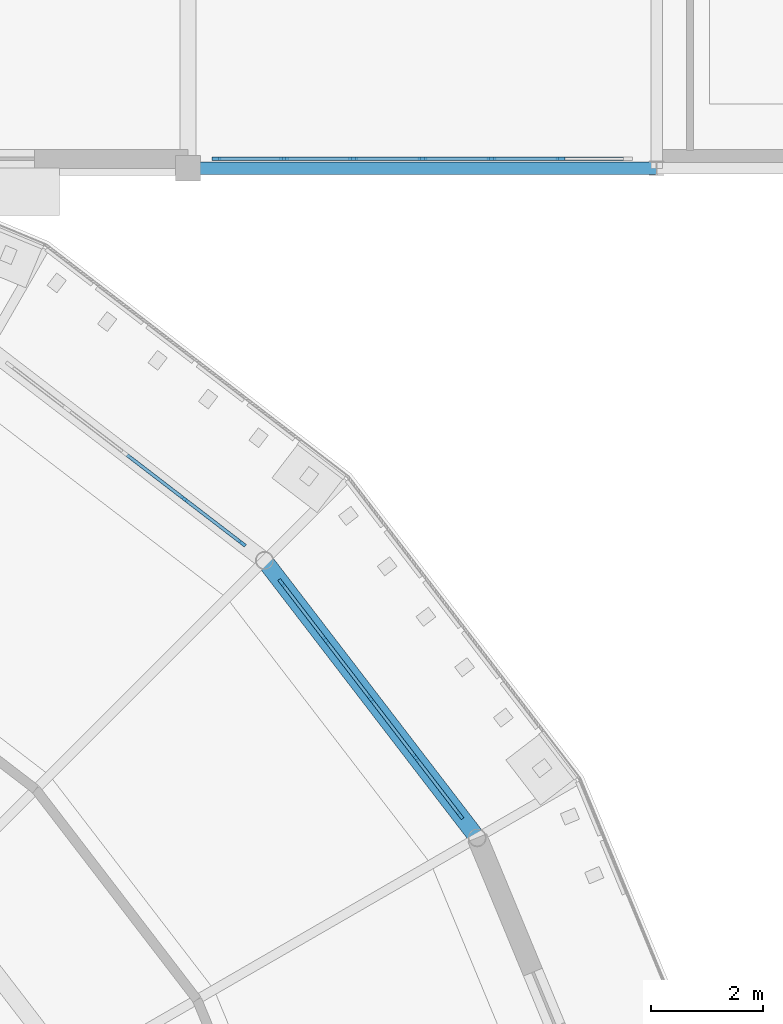
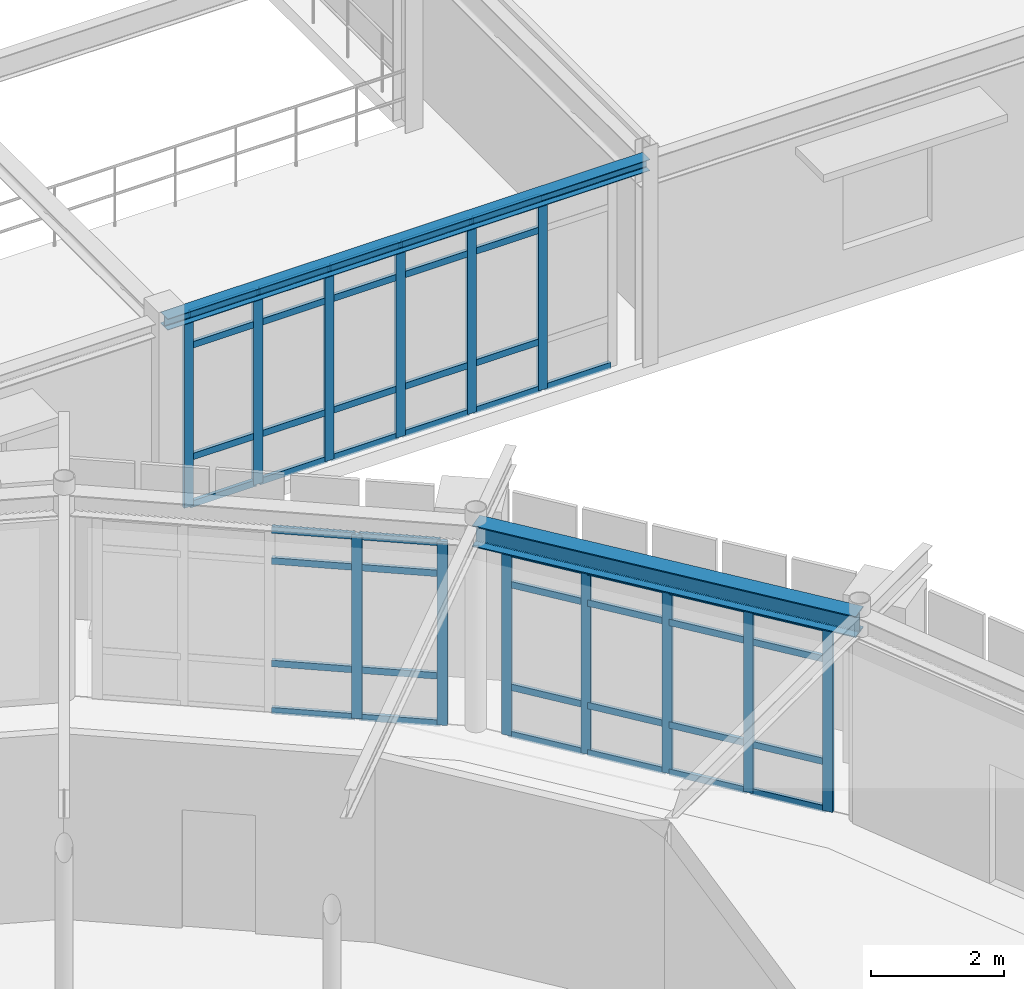
# One storey, part 37 of 70: 58 members, 2 beams, 3 elements without a shape of their own.
"""IFC4 building model written with IfcOpenShell, lengths in metres."""

from ifc_helpers import new_model, si_unit, derived_unit, direction, frame, origin, origin_2d, place, context, subcontext, project, spatial, rectangle, i_section, extrude, material, layer, layer_set, material_profile, profile_set, type_object, element, aggregate, save


model = new_model("IFC4")

# Units and contexts
model_context = context("Model", 3, precision=1e-05, world=origin(), true_north=direction((0.0, 1.0)))
body_context = subcontext(model_context, "Body", "Model", "MODEL_VIEW")
ifc_project = project(units=[si_unit("LENGTHUNIT", "METRE"), si_unit("AREAUNIT", "SQUARE_METRE"), si_unit("VOLUMEUNIT", "CUBIC_METRE"), si_unit("PLANEANGLEUNIT", "RADIAN"), si_unit("MASSUNIT", "GRAM", prefix="KILO"), derived_unit("THERMALTRANSMITTANCEUNIT", [(si_unit("POWERUNIT", "WATT"), 1), (si_unit("AREAUNIT", "SQUARE_METRE"), -1), (si_unit("THERMODYNAMICTEMPERATUREUNIT", "KELVIN"), -1)])], contexts=[model_context])

# Site, building, storey
site_placement = place(None, origin())
site = spatial("IfcSite", under=ifc_project, at=site_placement, CompositionType="ELEMENT")
building_placement = place(site_placement, origin())
building = spatial("IfcBuilding", under=site, at=building_placement, Name="Yasenodar Specialist Clinic", CompositionType="ELEMENT")
storey_placement = place(building_placement, frame((0.0, 0.0, 13.199951171875)))
storey = spatial("IfcBuildingStorey", under=building, at=storey_placement, Name="L03", CompositionType="ELEMENT", Elevation=13.199951171875)

# Beams
ifc_material_1 = material(Name="Steel S355", Category="steel")
ifc_material_profile_1 = material_profile(ifc_material_1, i_section(OverallWidth=0.219970703125, OverallDepth=0.2099609375, WebThickness=0.007080078125, FlangeThickness=0.010986328125, FilletRadius=0.01806640625, at=origin_2d()), Name="HEA 220")
ifc_profile_set_1 = profile_set([ifc_material_profile_1], Name="Steel S355")
beam_type_1 = type_object("IfcBeamType", Name="BM-HEA220", PredefinedType="BEAM", material=ifc_profile_set_1)
beam_1_placement = place(storey_placement, frame((96.60009765625, 82.800048828125, 3.68505859375), z_axis=(1.0, 0.0, 0.0), x_axis=(0.0, 1.0, 0.0)))
element("IfcBeam", 1, at=beam_1_placement, inside=storey, type_object=beam_type_1, Name="L03 Primary E-W Girder", PredefinedType="BEAM", context=body_context, shape_type="SweptSolid", body=[
    extrude(i_section(OverallWidth=0.219970703125, OverallDepth=0.2099609375, WebThickness=0.007080078125, FlangeThickness=0.010986328125, FilletRadius=0.01806640625, at=origin_2d()), origin(), (0.0, 0.0, 1.0), 8.39990234375),
])
ifc_material_profile_2 = material_profile(ifc_material_1, i_section(OverallWidth=0.300048828125, OverallDepth=0.389892578125, WebThickness=0.010986328125, FlangeThickness=0.01904296875, FilletRadius=0.027099609375, at=origin_2d()), Name="HEA 400")
ifc_profile_set_2 = profile_set([ifc_material_profile_2], Name="Steel S355")
beam_type_2 = type_object("IfcBeamType", Name="BM-HEA400", PredefinedType="BEAM", material=ifc_profile_set_2)
beam_2_placement = place(storey_placement, frame((101.78466796875, 70.800048828125, 3.60498046875), z_axis=(-0.608761180103, 0.793353531283, 0.0), x_axis=(-0.793353531283, -0.608761180103, 0.0)))
element("IfcBeam", 2, at=beam_2_placement, inside=storey, type_object=beam_type_2, Name="L03 Drum V1 Perimeter Ring Beam", PredefinedType="BEAM", context=body_context, shape_type="SweptSolid", body=[
    extrude(i_section(OverallWidth=0.300048828125, OverallDepth=0.389892578125, WebThickness=0.010986328125, FlangeThickness=0.01904296875, FilletRadius=0.027099609375, at=origin_2d()), origin(), (0.0, 0.0, 1.0), 6.26513671875),
])

# Curtain wall, members
ifc_material_2 = material(Name="Bronze Anodized Aluminium and Triple Low-E Glass", Category="aluminium")
ifc_layer_1 = layer(ifc_material_2, 0.1669921875)
ifc_layer_set_1 = layer_set([ifc_layer_1], Name="Bronze Anodized Aluminium and Triple Low-E Glass")
curtain_wall_type_1 = type_object("IfcCurtainWallType", Name="CW-SYS-01", PredefinedType="USERDEFINED", material=ifc_layer_set_1)
curtain_wall_1_placement = place(storey_placement, origin())
curtain_wall_1 = element("IfcCurtainWall", 3, at=curtain_wall_1_placement, inside=storey, type_object=curtain_wall_type_1, Name="L03 Unitised Curtain Wall 041", ObjectType="UNITISED CURTAIN WALL", PredefinedType="USERDEFINED")
ifc_material_3 = material(Name="Bronze Anodized Aluminium", Category="aluminium")
ifc_material_profile_3 = material_profile(ifc_material_3, rectangle(XDim=0.06005859375, YDim=0.159912109375, at=origin_2d()), Name="CW-MULL 60x160")
ifc_profile_set_3 = profile_set([ifc_material_profile_3], Name="Bronze Anodized Aluminium")
member_type_1 = type_object("IfcMemberType", Name="CW-MULL-160", PredefinedType="MULLION", material=ifc_profile_set_3)
member_1_placement = place(storey_placement, frame((98.281005859375, 75.365966796875, 0.0), z_axis=(0.0, 0.0, 1.0), x_axis=(0.793360558574, 0.608752021844, 0.0)))
member_1 = element("IfcMember", 4, at=member_1_placement, type_object=member_type_1, Name="CW-01 mullion 1", PredefinedType="MULLION", context=body_context, shape_type="SweptSolid", body=[
    extrude(rectangle(XDim=0.06005859375, YDim=0.159912109375, at=origin_2d()), origin(), (0.0, 0.0, 1.0), 3.387939453125),
])
member_2_placement = place(storey_placement, frame((99.0703125, 74.337646484375, 0.0), z_axis=(0.0, 0.0, 1.0), x_axis=(0.793360558574, 0.608752021844, 0.0)))
member_2 = element("IfcMember", 5, at=member_2_placement, type_object=member_type_1, Name="CW-01 mullion 2", PredefinedType="MULLION", context=body_context, shape_type="SweptSolid", body=[
    extrude(rectangle(XDim=0.06005859375, YDim=0.159912109375, at=origin_2d()), origin(), (0.0, 0.0, 1.0), 3.387939453125),
])
member_3_placement = place(storey_placement, frame((99.877685546875, 73.285400390625, 0.0), z_axis=(0.0, 0.0, 1.0), x_axis=(0.793360558574, 0.608752021844, 0.0)))
member_3 = element("IfcMember", 6, at=member_3_placement, type_object=member_type_1, Name="CW-01 mullion 3", PredefinedType="MULLION", context=body_context, shape_type="SweptSolid", body=[
    extrude(rectangle(XDim=0.06005859375, YDim=0.159912109375, at=origin_2d()), origin(), (0.0, 0.0, 1.0), 3.387939453125),
])
member_4_placement = place(storey_placement, frame((100.68505859375, 72.233154296875, 0.0), z_axis=(0.0, 0.0, 1.0), x_axis=(0.793360558574, 0.608752021844, 0.0)))
member_4 = element("IfcMember", 7, at=member_4_placement, type_object=member_type_1, Name="CW-01 mullion 4", PredefinedType="MULLION", context=body_context, shape_type="SweptSolid", body=[
    extrude(rectangle(XDim=0.06005859375, YDim=0.159912109375, at=origin_2d()), origin(), (0.0, 0.0, 1.0), 3.387939453125),
])
member_5_placement = place(storey_placement, frame((101.47412109375, 71.20458984375, 0.0), z_axis=(0.0, 0.0, 1.0), x_axis=(0.793360558574, 0.608752021844, 0.0)))
member_5 = element("IfcMember", 8, at=member_5_placement, type_object=member_type_1, Name="CW-01 mullion 5", PredefinedType="MULLION", context=body_context, shape_type="SweptSolid", body=[
    extrude(rectangle(XDim=0.06005859375, YDim=0.159912109375, at=origin_2d()), origin(), (0.0, 0.0, 1.0), 3.387939453125),
])

curtain_wall_2_placement = place(storey_placement, origin())
curtain_wall_2 = element("IfcCurtainWall", 9, at=curtain_wall_2_placement, inside=storey, type_object=curtain_wall_type_1, Name="L03 Unitised Curtain Wall 042", ObjectType="UNITISED CURTAIN WALL", PredefinedType="USERDEFINED")
member_6_placement = place(storey_placement, frame((96.53759765625, 76.8701171875, 0.0), z_axis=(0.0, 0.0, 1.0), x_axis=(0.608752021844, 0.793360558574, 0.0)))
member_6 = element("IfcMember", 10, at=member_6_placement, type_object=member_type_1, Name="CW-01 mullion 4", PredefinedType="MULLION", context=body_context, shape_type="SweptSolid", body=[
    extrude(rectangle(XDim=0.06005859375, YDim=0.159912109375, at=origin_2d()), origin(), (0.0, 0.0, 1.0), 3.387939453125),
])
member_7_placement = place(storey_placement, frame((97.56591796875, 76.0810546875, 0.0), z_axis=(0.0, 0.0, 1.0), x_axis=(0.608752021844, 0.793360558574, 0.0)))
member_7 = element("IfcMember", 11, at=member_7_placement, type_object=member_type_1, Name="CW-01 mullion 5", PredefinedType="MULLION", context=body_context, shape_type="SweptSolid", body=[
    extrude(rectangle(XDim=0.06005859375, YDim=0.159912109375, at=origin_2d()), origin(), (0.0, 0.0, 1.0), 3.387939453125),
])

ifc_layer_2 = layer(ifc_material_2, 0.215087890625)
ifc_layer_set_2 = layer_set([ifc_layer_2], Name="Bronze Anodized Aluminium and Triple Low-E Glass")
curtain_wall_type_2 = type_object("IfcCurtainWallType", Name="CW-SYS-05", PredefinedType="USERDEFINED", material=ifc_layer_set_2)
curtain_wall_3_placement = place(storey_placement, origin())
curtain_wall_3 = element("IfcCurtainWall", 12, at=curtain_wall_3_placement, inside=storey, type_object=curtain_wall_type_2, Name="L03 Unitised Curtain Wall 159", ObjectType="UNITISED CURTAIN WALL", PredefinedType="USERDEFINED")
member_8_placement = place(storey_placement, frame((103.280029296875, 82.969970703125, 0.0), z_axis=(0.0, 0.0, 1.0), x_axis=(0.0, -1.0, 0.0)))
member_8 = element("IfcMember", 13, at=member_8_placement, type_object=member_type_1, Name="CW-05 mullion 2", PredefinedType="MULLION", context=body_context, shape_type="SweptSolid", body=[
    extrude(rectangle(XDim=0.06005859375, YDim=0.159912109375, at=origin_2d()), origin(), (0.0, 0.0, 1.0), 3.55810546875),
])
member_9_placement = place(storey_placement, frame((102.0400390625, 82.969970703125, 0.0), z_axis=(0.0, 0.0, 1.0), x_axis=(0.0, -1.0, 0.0)))
member_9 = element("IfcMember", 14, at=member_9_placement, type_object=member_type_1, Name="CW-05 mullion 3", PredefinedType="MULLION", context=body_context, shape_type="SweptSolid", body=[
    extrude(rectangle(XDim=0.06005859375, YDim=0.159912109375, at=origin_2d()), origin(), (0.0, 0.0, 1.0), 3.55810546875),
])
member_10_placement = place(storey_placement, frame((100.800048828125, 82.969970703125, 0.0), z_axis=(0.0, 0.0, 1.0), x_axis=(0.0, -1.0, 0.0)))
member_10 = element("IfcMember", 15, at=member_10_placement, type_object=member_type_1, Name="CW-05 mullion 4", PredefinedType="MULLION", context=body_context, shape_type="SweptSolid", body=[
    extrude(rectangle(XDim=0.06005859375, YDim=0.159912109375, at=origin_2d()), origin(), (0.0, 0.0, 1.0), 3.55810546875),
])
member_11_placement = place(storey_placement, frame((99.56005859375, 82.969970703125, 0.0), z_axis=(0.0, 0.0, 1.0), x_axis=(0.0, -1.0, 0.0)))
member_11 = element("IfcMember", 16, at=member_11_placement, type_object=member_type_1, Name="CW-05 mullion 5", PredefinedType="MULLION", context=body_context, shape_type="SweptSolid", body=[
    extrude(rectangle(XDim=0.06005859375, YDim=0.159912109375, at=origin_2d()), origin(), (0.0, 0.0, 1.0), 3.55810546875),
])
member_12_placement = place(storey_placement, frame((98.320068359375, 82.969970703125, 0.0), z_axis=(0.0, 0.0, 1.0), x_axis=(0.0, -1.0, 0.0)))
member_12 = element("IfcMember", 17, at=member_12_placement, type_object=member_type_1, Name="CW-05 mullion 6", PredefinedType="MULLION", context=body_context, shape_type="SweptSolid", body=[
    extrude(rectangle(XDim=0.06005859375, YDim=0.159912109375, at=origin_2d()), origin(), (0.0, 0.0, 1.0), 3.55810546875),
])
member_13_placement = place(storey_placement, frame((97.110107421875, 82.969970703125, 0.0), z_axis=(0.0, 0.0, 1.0), x_axis=(0.0, -1.0, 0.0)))
member_13 = element("IfcMember", 18, at=member_13_placement, type_object=member_type_1, Name="CW-05 mullion 7", PredefinedType="MULLION", context=body_context, shape_type="SweptSolid", body=[
    extrude(rectangle(XDim=0.06005859375, YDim=0.159912109375, at=origin_2d()), origin(), (0.0, 0.0, 1.0), 3.55810546875),
])

# Member
ifc_material_profile_4 = material_profile(ifc_material_3, rectangle(XDim=0.06005859375, YDim=0.1201171875, at=origin_2d()), Name="CW-TRAN 60x120")
ifc_profile_set_4 = profile_set([ifc_material_profile_4], Name="Bronze Anodized Aluminium")
member_type_2 = type_object("IfcMemberType", Name="CW-TRAN-120", PredefinedType="USERDEFINED", material=ifc_profile_set_4)
member_14_placement = place(storey_placement, frame((98.29931640625, 75.34228515625, 0.030029296875), z_axis=(0.608746535642, -0.793364768151, 0.0), x_axis=(0.793364768151, 0.608746535642, 0.0)))
member_14 = element("IfcMember", 19, at=member_14_placement, type_object=member_type_2, Name="CW-01 transom 1.1", ObjectType="TRANSOM", PredefinedType="USERDEFINED", context=body_context, shape_type="SweptSolid", body=[
    extrude(rectangle(XDim=0.06005859375, YDim=0.1201171875, at=origin_2d()), origin(), (0.0, 0.0, 1.0), 1.236572265625),
])

member_15_placement = place(storey_placement, frame((98.29931640625, 75.34228515625, 0.900146484375), z_axis=(0.608746535642, -0.793364768151, 0.0), x_axis=(0.793364768151, 0.608746535642, 0.0)))
member_15 = element("IfcMember", 20, at=member_15_placement, type_object=member_type_2, Name="CW-01 transom 1.2", ObjectType="TRANSOM", PredefinedType="USERDEFINED", context=body_context, shape_type="SweptSolid", body=[
    extrude(rectangle(XDim=0.06005859375, YDim=0.1201171875, at=origin_2d()), origin(), (0.0, 0.0, 1.0), 1.236572265625),
])

member_16_placement = place(storey_placement, frame((98.29931640625, 75.34228515625, 2.7880859375), z_axis=(0.608746535642, -0.793364768151, 0.0), x_axis=(0.793364768151, 0.608746535642, 0.0)))
member_16 = element("IfcMember", 21, at=member_16_placement, type_object=member_type_2, Name="CW-01 transom 1.3", ObjectType="TRANSOM", PredefinedType="USERDEFINED", context=body_context, shape_type="SweptSolid", body=[
    extrude(rectangle(XDim=0.06005859375, YDim=0.1201171875, at=origin_2d()), origin(), (0.0, 0.0, 1.0), 1.236572265625),
])

member_17_placement = place(storey_placement, frame((98.29931640625, 75.34228515625, 3.358154296875), z_axis=(0.608746535642, -0.793364768151, 0.0), x_axis=(0.793364768151, 0.608746535642, 0.0)))
member_17 = element("IfcMember", 22, at=member_17_placement, type_object=member_type_2, Name="CW-01 transom 1.4", ObjectType="TRANSOM", PredefinedType="USERDEFINED", context=body_context, shape_type="SweptSolid", body=[
    extrude(rectangle(XDim=0.06005859375, YDim=0.1201171875, at=origin_2d()), origin(), (0.0, 0.0, 1.0), 1.236572265625),
])

member_18_placement = place(storey_placement, frame((99.08837890625, 74.313720703125, 0.030029296875), z_axis=(0.608815963567, -0.793311491475, 0.0), x_axis=(0.793311491475, 0.608815963567, 0.0)))
member_18 = element("IfcMember", 23, at=member_18_placement, type_object=member_type_2, Name="CW-01 transom 2.1", ObjectType="TRANSOM", PredefinedType="USERDEFINED", context=body_context, shape_type="SweptSolid", body=[
    extrude(rectangle(XDim=0.06005859375, YDim=0.1201171875, at=origin_2d()), origin(), (0.0, 0.0, 1.0), 1.266357421875),
])

member_19_placement = place(storey_placement, frame((99.08837890625, 74.313720703125, 0.900146484375), z_axis=(0.608815963567, -0.793311491475, 0.0), x_axis=(0.793311491475, 0.608815963567, 0.0)))
member_19 = element("IfcMember", 24, at=member_19_placement, type_object=member_type_2, Name="CW-01 transom 2.2", ObjectType="TRANSOM", PredefinedType="USERDEFINED", context=body_context, shape_type="SweptSolid", body=[
    extrude(rectangle(XDim=0.06005859375, YDim=0.1201171875, at=origin_2d()), origin(), (0.0, 0.0, 1.0), 1.266357421875),
])

member_20_placement = place(storey_placement, frame((99.08837890625, 74.313720703125, 2.7880859375), z_axis=(0.608815963567, -0.793311491475, 0.0), x_axis=(0.793311491475, 0.608815963567, 0.0)))
member_20 = element("IfcMember", 25, at=member_20_placement, type_object=member_type_2, Name="CW-01 transom 2.3", ObjectType="TRANSOM", PredefinedType="USERDEFINED", context=body_context, shape_type="SweptSolid", body=[
    extrude(rectangle(XDim=0.06005859375, YDim=0.1201171875, at=origin_2d()), origin(), (0.0, 0.0, 1.0), 1.266357421875),
])

member_21_placement = place(storey_placement, frame((99.08837890625, 74.313720703125, 3.358154296875), z_axis=(0.608815963567, -0.793311491475, 0.0), x_axis=(0.793311491475, 0.608815963567, 0.0)))
member_21 = element("IfcMember", 26, at=member_21_placement, type_object=member_type_2, Name="CW-01 transom 2.4", ObjectType="TRANSOM", PredefinedType="USERDEFINED", context=body_context, shape_type="SweptSolid", body=[
    extrude(rectangle(XDim=0.06005859375, YDim=0.1201171875, at=origin_2d()), origin(), (0.0, 0.0, 1.0), 1.266357421875),
])

member_22_placement = place(storey_placement, frame((99.895751953125, 73.261474609375, 0.030029296875), z_axis=(0.608815963567, -0.793311491475, 0.0), x_axis=(0.793311491475, 0.608815963567, 0.0)))
member_22 = element("IfcMember", 27, at=member_22_placement, type_object=member_type_2, Name="CW-01 transom 3.1", ObjectType="TRANSOM", PredefinedType="USERDEFINED", context=body_context, shape_type="SweptSolid", body=[
    extrude(rectangle(XDim=0.06005859375, YDim=0.1201171875, at=origin_2d()), origin(), (0.0, 0.0, 1.0), 1.266357421875),
])

member_23_placement = place(storey_placement, frame((99.895751953125, 73.261474609375, 0.900146484375), z_axis=(0.608815963567, -0.793311491475, 0.0), x_axis=(0.793311491475, 0.608815963567, 0.0)))
member_23 = element("IfcMember", 28, at=member_23_placement, type_object=member_type_2, Name="CW-01 transom 3.2", ObjectType="TRANSOM", PredefinedType="USERDEFINED", context=body_context, shape_type="SweptSolid", body=[
    extrude(rectangle(XDim=0.06005859375, YDim=0.1201171875, at=origin_2d()), origin(), (0.0, 0.0, 1.0), 1.266357421875),
])

member_24_placement = place(storey_placement, frame((99.895751953125, 73.261474609375, 2.7880859375), z_axis=(0.608815963567, -0.793311491475, 0.0), x_axis=(0.793311491475, 0.608815963567, 0.0)))
member_24 = element("IfcMember", 29, at=member_24_placement, type_object=member_type_2, Name="CW-01 transom 3.3", ObjectType="TRANSOM", PredefinedType="USERDEFINED", context=body_context, shape_type="SweptSolid", body=[
    extrude(rectangle(XDim=0.06005859375, YDim=0.1201171875, at=origin_2d()), origin(), (0.0, 0.0, 1.0), 1.266357421875),
])

member_25_placement = place(storey_placement, frame((99.895751953125, 73.261474609375, 3.358154296875), z_axis=(0.608815963567, -0.793311491475, 0.0), x_axis=(0.793311491475, 0.608815963567, 0.0)))
member_25 = element("IfcMember", 30, at=member_25_placement, type_object=member_type_2, Name="CW-01 transom 3.4", ObjectType="TRANSOM", PredefinedType="USERDEFINED", context=body_context, shape_type="SweptSolid", body=[
    extrude(rectangle(XDim=0.06005859375, YDim=0.1201171875, at=origin_2d()), origin(), (0.0, 0.0, 1.0), 1.266357421875),
])

member_26_placement = place(storey_placement, frame((100.703369140625, 72.209228515625, 0.030029296875), z_axis=(0.608717606417, -0.793386964626, 0.0), x_axis=(0.793386964626, 0.608717606417, 0.0)))
member_26 = element("IfcMember", 31, at=member_26_placement, type_object=member_type_2, Name="CW-01 transom 4.1", ObjectType="TRANSOM", PredefinedType="USERDEFINED", context=body_context, shape_type="SweptSolid", body=[
    extrude(rectangle(XDim=0.06005859375, YDim=0.1201171875, at=origin_2d()), origin(), (0.0, 0.0, 1.0), 1.236083984375),
])

member_27_placement = place(storey_placement, frame((100.703369140625, 72.209228515625, 0.900146484375), z_axis=(0.608717606417, -0.793386964626, 0.0), x_axis=(0.793386964626, 0.608717606417, 0.0)))
member_27 = element("IfcMember", 32, at=member_27_placement, type_object=member_type_2, Name="CW-01 transom 4.2", ObjectType="TRANSOM", PredefinedType="USERDEFINED", context=body_context, shape_type="SweptSolid", body=[
    extrude(rectangle(XDim=0.06005859375, YDim=0.1201171875, at=origin_2d()), origin(), (0.0, 0.0, 1.0), 1.236083984375),
])

member_28_placement = place(storey_placement, frame((100.703369140625, 72.209228515625, 2.7880859375), z_axis=(0.608717606417, -0.793386964626, 0.0), x_axis=(0.793386964626, 0.608717606417, 0.0)))
member_28 = element("IfcMember", 33, at=member_28_placement, type_object=member_type_2, Name="CW-01 transom 4.3", ObjectType="TRANSOM", PredefinedType="USERDEFINED", context=body_context, shape_type="SweptSolid", body=[
    extrude(rectangle(XDim=0.06005859375, YDim=0.1201171875, at=origin_2d()), origin(), (0.0, 0.0, 1.0), 1.236083984375),
])

member_29_placement = place(storey_placement, frame((100.703369140625, 72.209228515625, 3.358154296875), z_axis=(0.608717606417, -0.793386964626, 0.0), x_axis=(0.793386964626, 0.608717606417, 0.0)))
member_29 = element("IfcMember", 34, at=member_29_placement, type_object=member_type_2, Name="CW-01 transom 4.4", ObjectType="TRANSOM", PredefinedType="USERDEFINED", context=body_context, shape_type="SweptSolid", body=[
    extrude(rectangle(XDim=0.06005859375, YDim=0.1201171875, at=origin_2d()), origin(), (0.0, 0.0, 1.0), 1.236083984375),
])

aggregate(curtain_wall_1, [member_1, member_2, member_3, member_4, member_5, member_14, member_15, member_16, member_17, member_18, member_19, member_20, member_21, member_22, member_23, member_24, member_25, member_26, member_27, member_28, member_29])

member_30_placement = place(storey_placement, frame((95.509033203125, 77.659423828125, 0.030029296875), z_axis=(0.793311491475, -0.608815963567, 0.0), x_axis=(0.608815963567, 0.793311491475, 0.0)))
member_30 = element("IfcMember", 35, at=member_30_placement, type_object=member_type_2, Name="CW-01 transom 3.1", ObjectType="TRANSOM", PredefinedType="USERDEFINED", context=body_context, shape_type="SweptSolid", body=[
    extrude(rectangle(XDim=0.06005859375, YDim=0.1201171875, at=origin_2d()), origin(), (0.0, 0.0, 1.0), 1.266357421875),
])

member_31_placement = place(storey_placement, frame((95.509033203125, 77.659423828125, 0.900146484375), z_axis=(0.793311491475, -0.608815963567, 0.0), x_axis=(0.608815963567, 0.793311491475, 0.0)))
member_31 = element("IfcMember", 36, at=member_31_placement, type_object=member_type_2, Name="CW-01 transom 3.2", ObjectType="TRANSOM", PredefinedType="USERDEFINED", context=body_context, shape_type="SweptSolid", body=[
    extrude(rectangle(XDim=0.06005859375, YDim=0.1201171875, at=origin_2d()), origin(), (0.0, 0.0, 1.0), 1.266357421875),
])

member_32_placement = place(storey_placement, frame((95.509033203125, 77.659423828125, 2.7880859375), z_axis=(0.793311491475, -0.608815963567, 0.0), x_axis=(0.608815963567, 0.793311491475, 0.0)))
member_32 = element("IfcMember", 37, at=member_32_placement, type_object=member_type_2, Name="CW-01 transom 3.3", ObjectType="TRANSOM", PredefinedType="USERDEFINED", context=body_context, shape_type="SweptSolid", body=[
    extrude(rectangle(XDim=0.06005859375, YDim=0.1201171875, at=origin_2d()), origin(), (0.0, 0.0, 1.0), 1.266357421875),
])

member_33_placement = place(storey_placement, frame((95.509033203125, 77.659423828125, 3.358154296875), z_axis=(0.793311491475, -0.608815963567, 0.0), x_axis=(0.608815963567, 0.793311491475, 0.0)))
member_33 = element("IfcMember", 38, at=member_33_placement, type_object=member_type_2, Name="CW-01 transom 3.4", ObjectType="TRANSOM", PredefinedType="USERDEFINED", context=body_context, shape_type="SweptSolid", body=[
    extrude(rectangle(XDim=0.06005859375, YDim=0.1201171875, at=origin_2d()), origin(), (0.0, 0.0, 1.0), 1.266357421875),
])

member_34_placement = place(storey_placement, frame((96.561279296875, 76.85205078125, 0.030029296875), z_axis=(0.793364768151, -0.608746535642, 0.0), x_axis=(0.608746535642, 0.793364768151, 0.0)))
member_34 = element("IfcMember", 39, at=member_34_placement, type_object=member_type_2, Name="CW-01 transom 4.1", ObjectType="TRANSOM", PredefinedType="USERDEFINED", context=body_context, shape_type="SweptSolid", body=[
    extrude(rectangle(XDim=0.06005859375, YDim=0.1201171875, at=origin_2d()), origin(), (0.0, 0.0, 1.0), 1.236572265625),
])

member_35_placement = place(storey_placement, frame((96.561279296875, 76.85205078125, 0.900146484375), z_axis=(0.793364768151, -0.608746535642, 0.0), x_axis=(0.608746535642, 0.793364768151, 0.0)))
member_35 = element("IfcMember", 40, at=member_35_placement, type_object=member_type_2, Name="CW-01 transom 4.2", ObjectType="TRANSOM", PredefinedType="USERDEFINED", context=body_context, shape_type="SweptSolid", body=[
    extrude(rectangle(XDim=0.06005859375, YDim=0.1201171875, at=origin_2d()), origin(), (0.0, 0.0, 1.0), 1.236572265625),
])

member_36_placement = place(storey_placement, frame((96.561279296875, 76.85205078125, 2.7880859375), z_axis=(0.793364768151, -0.608746535642, 0.0), x_axis=(0.608746535642, 0.793364768151, 0.0)))
member_36 = element("IfcMember", 41, at=member_36_placement, type_object=member_type_2, Name="CW-01 transom 4.3", ObjectType="TRANSOM", PredefinedType="USERDEFINED", context=body_context, shape_type="SweptSolid", body=[
    extrude(rectangle(XDim=0.06005859375, YDim=0.1201171875, at=origin_2d()), origin(), (0.0, 0.0, 1.0), 1.236572265625),
])

member_37_placement = place(storey_placement, frame((96.561279296875, 76.85205078125, 3.358154296875), z_axis=(0.793364768151, -0.608746535642, 0.0), x_axis=(0.608746535642, 0.793364768151, 0.0)))
member_37 = element("IfcMember", 42, at=member_37_placement, type_object=member_type_2, Name="CW-01 transom 4.4", ObjectType="TRANSOM", PredefinedType="USERDEFINED", context=body_context, shape_type="SweptSolid", body=[
    extrude(rectangle(XDim=0.06005859375, YDim=0.1201171875, at=origin_2d()), origin(), (0.0, 0.0, 1.0), 1.236572265625),
])

aggregate(curtain_wall_2, [member_6, member_7, member_30, member_31, member_32, member_33, member_34, member_35, member_36, member_37])

member_38_placement = place(storey_placement, frame((104.4599609375, 82.969970703125, 0.030029296875), z_axis=(-1.0, 0.0, 0.0), x_axis=(0.0, -1.0, 0.0)))
member_38 = element("IfcMember", 43, at=member_38_placement, type_object=member_type_2, Name="CW-05 transom 1.1", ObjectType="TRANSOM", PredefinedType="USERDEFINED", context=body_context, shape_type="SweptSolid", body=[
    extrude(rectangle(XDim=0.06005859375, YDim=0.1201171875, at=origin_2d()), origin(), (0.0, 0.0, 1.0), 1.14990234375),
])

member_39_placement = place(storey_placement, frame((103.25, 82.969970703125, 0.030029296875), z_axis=(-1.0, 0.0, 0.0), x_axis=(0.0, -1.0, 0.0)))
member_39 = element("IfcMember", 44, at=member_39_placement, type_object=member_type_2, Name="CW-05 transom 2.1", ObjectType="TRANSOM", PredefinedType="USERDEFINED", context=body_context, shape_type="SweptSolid", body=[
    extrude(rectangle(XDim=0.06005859375, YDim=0.1201171875, at=origin_2d()), origin(), (0.0, 0.0, 1.0), 1.179931640625),
])

member_40_placement = place(storey_placement, frame((103.25, 82.969970703125, 0.900146484375), z_axis=(-1.0, 0.0, 0.0), x_axis=(0.0, -1.0, 0.0)))
member_40 = element("IfcMember", 45, at=member_40_placement, type_object=member_type_2, Name="CW-05 transom 2.2", ObjectType="TRANSOM", PredefinedType="USERDEFINED", context=body_context, shape_type="SweptSolid", body=[
    extrude(rectangle(XDim=0.06005859375, YDim=0.1201171875, at=origin_2d()), origin(), (0.0, 0.0, 1.0), 1.179931640625),
])

member_41_placement = place(storey_placement, frame((103.25, 82.969970703125, 2.9580078125), z_axis=(-1.0, 0.0, 0.0), x_axis=(0.0, -1.0, 0.0)))
member_41 = element("IfcMember", 46, at=member_41_placement, type_object=member_type_2, Name="CW-05 transom 2.3", ObjectType="TRANSOM", PredefinedType="USERDEFINED", context=body_context, shape_type="SweptSolid", body=[
    extrude(rectangle(XDim=0.06005859375, YDim=0.1201171875, at=origin_2d()), origin(), (0.0, 0.0, 1.0), 1.179931640625),
])

member_42_placement = place(storey_placement, frame((103.25, 82.969970703125, 3.528076171875), z_axis=(-1.0, 0.0, 0.0), x_axis=(0.0, -1.0, 0.0)))
member_42 = element("IfcMember", 47, at=member_42_placement, type_object=member_type_2, Name="CW-05 transom 2.4", ObjectType="TRANSOM", PredefinedType="USERDEFINED", context=body_context, shape_type="SweptSolid", body=[
    extrude(rectangle(XDim=0.06005859375, YDim=0.1201171875, at=origin_2d()), origin(), (0.0, 0.0, 1.0), 1.179931640625),
])

member_43_placement = place(storey_placement, frame((102.010009765625, 82.969970703125, 0.030029296875), z_axis=(-1.0, 0.0, 0.0), x_axis=(0.0, -1.0, 0.0)))
member_43 = element("IfcMember", 48, at=member_43_placement, type_object=member_type_2, Name="CW-05 transom 3.1", ObjectType="TRANSOM", PredefinedType="USERDEFINED", context=body_context, shape_type="SweptSolid", body=[
    extrude(rectangle(XDim=0.06005859375, YDim=0.1201171875, at=origin_2d()), origin(), (0.0, 0.0, 1.0), 1.179931640625),
])

member_44_placement = place(storey_placement, frame((102.010009765625, 82.969970703125, 0.900146484375), z_axis=(-1.0, 0.0, 0.0), x_axis=(0.0, -1.0, 0.0)))
member_44 = element("IfcMember", 49, at=member_44_placement, type_object=member_type_2, Name="CW-05 transom 3.2", ObjectType="TRANSOM", PredefinedType="USERDEFINED", context=body_context, shape_type="SweptSolid", body=[
    extrude(rectangle(XDim=0.06005859375, YDim=0.1201171875, at=origin_2d()), origin(), (0.0, 0.0, 1.0), 1.179931640625),
])

member_45_placement = place(storey_placement, frame((102.010009765625, 82.969970703125, 2.9580078125), z_axis=(-1.0, 0.0, 0.0), x_axis=(0.0, -1.0, 0.0)))
member_45 = element("IfcMember", 50, at=member_45_placement, type_object=member_type_2, Name="CW-05 transom 3.3", ObjectType="TRANSOM", PredefinedType="USERDEFINED", context=body_context, shape_type="SweptSolid", body=[
    extrude(rectangle(XDim=0.06005859375, YDim=0.1201171875, at=origin_2d()), origin(), (0.0, 0.0, 1.0), 1.179931640625),
])

member_46_placement = place(storey_placement, frame((102.010009765625, 82.969970703125, 3.528076171875), z_axis=(-1.0, 0.0, 0.0), x_axis=(0.0, -1.0, 0.0)))
member_46 = element("IfcMember", 51, at=member_46_placement, type_object=member_type_2, Name="CW-05 transom 3.4", ObjectType="TRANSOM", PredefinedType="USERDEFINED", context=body_context, shape_type="SweptSolid", body=[
    extrude(rectangle(XDim=0.06005859375, YDim=0.1201171875, at=origin_2d()), origin(), (0.0, 0.0, 1.0), 1.179931640625),
])

member_47_placement = place(storey_placement, frame((100.77001953125, 82.969970703125, 0.030029296875), z_axis=(-1.0, 0.0, 0.0), x_axis=(0.0, -1.0, 0.0)))
member_47 = element("IfcMember", 52, at=member_47_placement, type_object=member_type_2, Name="CW-05 transom 4.1", ObjectType="TRANSOM", PredefinedType="USERDEFINED", context=body_context, shape_type="SweptSolid", body=[
    extrude(rectangle(XDim=0.06005859375, YDim=0.1201171875, at=origin_2d()), origin(), (0.0, 0.0, 1.0), 1.179931640625),
])

member_48_placement = place(storey_placement, frame((100.77001953125, 82.969970703125, 0.900146484375), z_axis=(-1.0, 0.0, 0.0), x_axis=(0.0, -1.0, 0.0)))
member_48 = element("IfcMember", 53, at=member_48_placement, type_object=member_type_2, Name="CW-05 transom 4.2", ObjectType="TRANSOM", PredefinedType="USERDEFINED", context=body_context, shape_type="SweptSolid", body=[
    extrude(rectangle(XDim=0.06005859375, YDim=0.1201171875, at=origin_2d()), origin(), (0.0, 0.0, 1.0), 1.179931640625),
])

member_49_placement = place(storey_placement, frame((100.77001953125, 82.969970703125, 2.9580078125), z_axis=(-1.0, 0.0, 0.0), x_axis=(0.0, -1.0, 0.0)))
member_49 = element("IfcMember", 54, at=member_49_placement, type_object=member_type_2, Name="CW-05 transom 4.3", ObjectType="TRANSOM", PredefinedType="USERDEFINED", context=body_context, shape_type="SweptSolid", body=[
    extrude(rectangle(XDim=0.06005859375, YDim=0.1201171875, at=origin_2d()), origin(), (0.0, 0.0, 1.0), 1.179931640625),
])

member_50_placement = place(storey_placement, frame((100.77001953125, 82.969970703125, 3.528076171875), z_axis=(-1.0, 0.0, 0.0), x_axis=(0.0, -1.0, 0.0)))
member_50 = element("IfcMember", 55, at=member_50_placement, type_object=member_type_2, Name="CW-05 transom 4.4", ObjectType="TRANSOM", PredefinedType="USERDEFINED", context=body_context, shape_type="SweptSolid", body=[
    extrude(rectangle(XDim=0.06005859375, YDim=0.1201171875, at=origin_2d()), origin(), (0.0, 0.0, 1.0), 1.179931640625),
])

member_51_placement = place(storey_placement, frame((99.530029296875, 82.969970703125, 0.030029296875), z_axis=(-1.0, 0.0, 0.0), x_axis=(0.0, -1.0, 0.0)))
member_51 = element("IfcMember", 56, at=member_51_placement, type_object=member_type_2, Name="CW-05 transom 5.1", ObjectType="TRANSOM", PredefinedType="USERDEFINED", context=body_context, shape_type="SweptSolid", body=[
    extrude(rectangle(XDim=0.06005859375, YDim=0.1201171875, at=origin_2d()), origin(), (0.0, 0.0, 1.0), 1.179931640625),
])

member_52_placement = place(storey_placement, frame((99.530029296875, 82.969970703125, 0.900146484375), z_axis=(-1.0, 0.0, 0.0), x_axis=(0.0, -1.0, 0.0)))
member_52 = element("IfcMember", 57, at=member_52_placement, type_object=member_type_2, Name="CW-05 transom 5.2", ObjectType="TRANSOM", PredefinedType="USERDEFINED", context=body_context, shape_type="SweptSolid", body=[
    extrude(rectangle(XDim=0.06005859375, YDim=0.1201171875, at=origin_2d()), origin(), (0.0, 0.0, 1.0), 1.179931640625),
])

member_53_placement = place(storey_placement, frame((99.530029296875, 82.969970703125, 2.9580078125), z_axis=(-1.0, 0.0, 0.0), x_axis=(0.0, -1.0, 0.0)))
member_53 = element("IfcMember", 58, at=member_53_placement, type_object=member_type_2, Name="CW-05 transom 5.3", ObjectType="TRANSOM", PredefinedType="USERDEFINED", context=body_context, shape_type="SweptSolid", body=[
    extrude(rectangle(XDim=0.06005859375, YDim=0.1201171875, at=origin_2d()), origin(), (0.0, 0.0, 1.0), 1.179931640625),
])

member_54_placement = place(storey_placement, frame((99.530029296875, 82.969970703125, 3.528076171875), z_axis=(-1.0, 0.0, 0.0), x_axis=(0.0, -1.0, 0.0)))
member_54 = element("IfcMember", 59, at=member_54_placement, type_object=member_type_2, Name="CW-05 transom 5.4", ObjectType="TRANSOM", PredefinedType="USERDEFINED", context=body_context, shape_type="SweptSolid", body=[
    extrude(rectangle(XDim=0.06005859375, YDim=0.1201171875, at=origin_2d()), origin(), (0.0, 0.0, 1.0), 1.179931640625),
])

member_55_placement = place(storey_placement, frame((98.2900390625, 82.969970703125, 0.030029296875), z_axis=(-1.0, 0.0, 0.0), x_axis=(0.0, -1.0, 0.0)))
member_55 = element("IfcMember", 60, at=member_55_placement, type_object=member_type_2, Name="CW-05 transom 6.1", ObjectType="TRANSOM", PredefinedType="USERDEFINED", context=body_context, shape_type="SweptSolid", body=[
    extrude(rectangle(XDim=0.06005859375, YDim=0.1201171875, at=origin_2d()), origin(), (0.0, 0.0, 1.0), 1.150146484375),
])

member_56_placement = place(storey_placement, frame((98.2900390625, 82.969970703125, 0.900146484375), z_axis=(-1.0, 0.0, 0.0), x_axis=(0.0, -1.0, 0.0)))
member_56 = element("IfcMember", 61, at=member_56_placement, type_object=member_type_2, Name="CW-05 transom 6.2", ObjectType="TRANSOM", PredefinedType="USERDEFINED", context=body_context, shape_type="SweptSolid", body=[
    extrude(rectangle(XDim=0.06005859375, YDim=0.1201171875, at=origin_2d()), origin(), (0.0, 0.0, 1.0), 1.150146484375),
])

member_57_placement = place(storey_placement, frame((98.2900390625, 82.969970703125, 2.9580078125), z_axis=(-1.0, 0.0, 0.0), x_axis=(0.0, -1.0, 0.0)))
member_57 = element("IfcMember", 62, at=member_57_placement, type_object=member_type_2, Name="CW-05 transom 6.3", ObjectType="TRANSOM", PredefinedType="USERDEFINED", context=body_context, shape_type="SweptSolid", body=[
    extrude(rectangle(XDim=0.06005859375, YDim=0.1201171875, at=origin_2d()), origin(), (0.0, 0.0, 1.0), 1.150146484375),
])

member_58_placement = place(storey_placement, frame((98.2900390625, 82.969970703125, 3.528076171875), z_axis=(-1.0, 0.0, 0.0), x_axis=(0.0, -1.0, 0.0)))
member_58 = element("IfcMember", 63, at=member_58_placement, type_object=member_type_2, Name="CW-05 transom 6.4", ObjectType="TRANSOM", PredefinedType="USERDEFINED", context=body_context, shape_type="SweptSolid", body=[
    extrude(rectangle(XDim=0.06005859375, YDim=0.1201171875, at=origin_2d()), origin(), (0.0, 0.0, 1.0), 1.150146484375),
])

aggregate(curtain_wall_3, [member_8, member_9, member_10, member_11, member_12, member_13, member_38, member_39, member_40, member_41, member_42, member_43, member_44, member_45, member_46, member_47, member_48, member_49, member_50, member_51, member_52, member_53, member_54, member_55, member_56, member_57, member_58])

save(model, "model.ifc")
